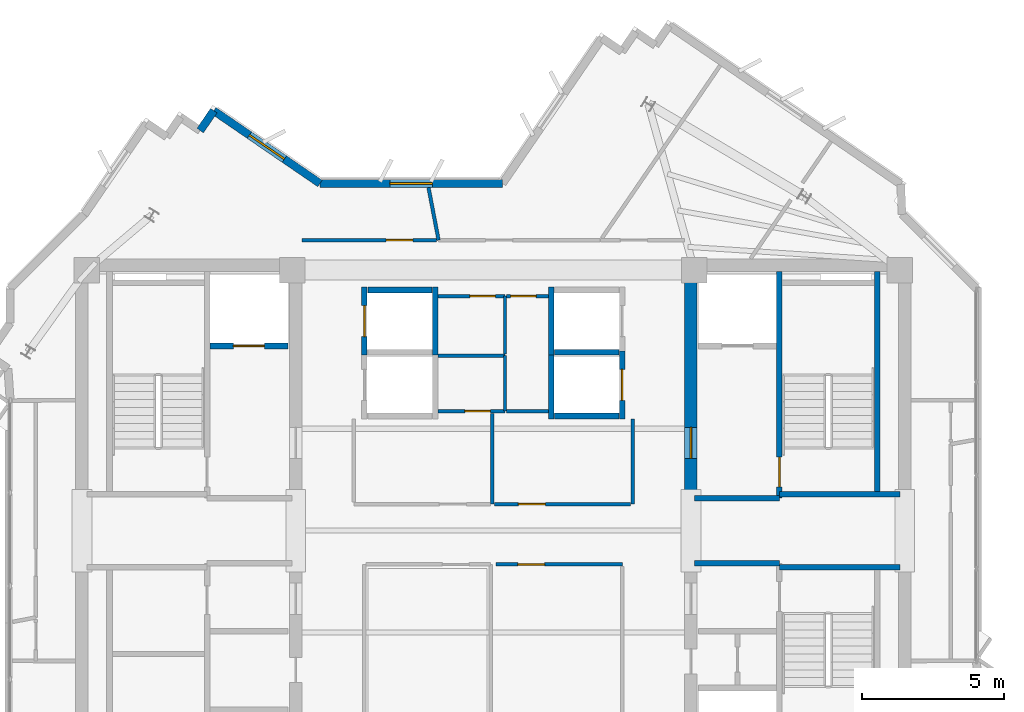
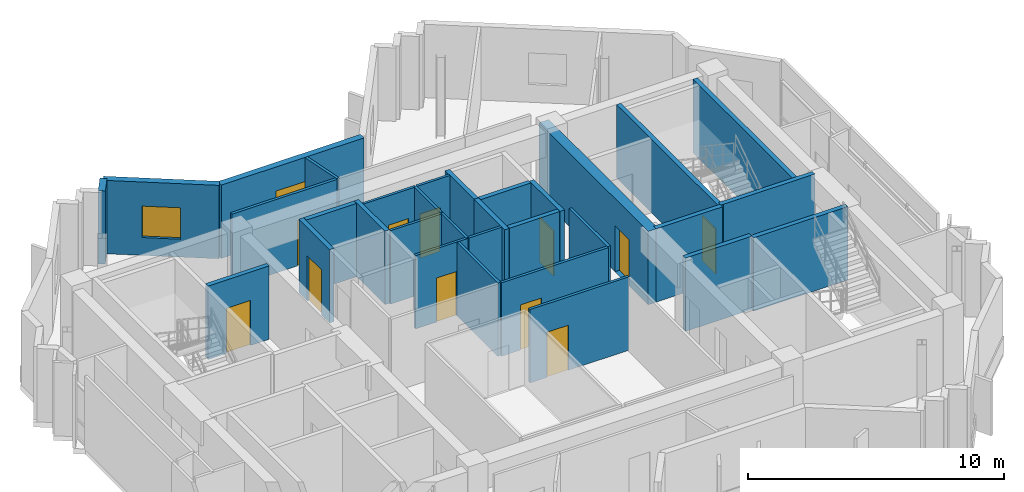
# One storey, part 7 of 11: 32 walls, 11 doors, 2 windows, 13 openings.
"""IFC4 building model written with IfcOpenShell, lengths in metres."""

from ifc_helpers import new_model, si_unit, direction, frame, frame_2d, origin, place, context, subcontext, project, spatial, rectangle, extrude, source, transform, mapped, material, layer, layer_set, type_object, element, fill, save


model = new_model("IFC4")

# Units and contexts
model_context = context("Model", 3, precision=1e-05, world=origin(), true_north=direction((0.0, 1.0)))
body_context = subcontext(model_context, "Body", "Model", "MODEL_VIEW")
ifc_project = project(units=[si_unit("LENGTHUNIT", "METRE"), si_unit("AREAUNIT", "SQUARE_METRE"), si_unit("VOLUMEUNIT", "CUBIC_METRE"), si_unit("PLANEANGLEUNIT", "RADIAN"), si_unit("MASSUNIT", "GRAM", prefix="KILO")], contexts=[model_context])

# Site, building, storey
site_placement = place(None, origin())
site = spatial("IfcSite", under=ifc_project, at=site_placement, CompositionType="ELEMENT")
building_placement = place(site_placement, origin())
building = spatial("IfcBuilding", under=site, at=building_placement, Name="Zahravan Cultural Tower", CompositionType="ELEMENT")
storey_placement = place(building_placement, frame((0.0, 0.0, 331.050048828125)))
storey = spatial("IfcBuildingStorey", under=building, at=storey_placement, Name="L80", CompositionType="ELEMENT", Elevation=331.050048828125)

# Wall, opening, door
ifc_material_1 = material(Name="Concrete C50/60", Category="concrete")
ifc_layer_1 = layer(ifc_material_1, 0.449951171875)
ifc_layer_set_1 = layer_set([ifc_layer_1], Name="Concrete C50/60")
wall_type_1 = type_object("IfcWallType", Name="CW-SHEAR-450-C50", PredefinedType="SHEAR", material=ifc_layer_set_1)
wall_1_placement = place(storey_placement, frame((42.97509765625, 28.050048828125, 0.0), z_axis=(0.0, 0.0, 1.0), x_axis=(0.0, 1.0, 0.0)))
wall_1 = element("IfcWall", 1, at=wall_1_placement, inside=storey, type_object=wall_type_1, Name="L80 Core Shear Wall CW-E-WN-L80", PredefinedType="SHEAR", context=body_context, shape_type="SweptSolid", body=[
    extrude(rectangle(XDim=8.550048828125, YDim=0.449951171875, at=frame_2d((4.27490234375, 0.0))), origin(), (0.0, 0.0, 1.0), 3.5),
])
opening_1_placement = place(wall_1_placement, frame((1.5, 0.0, 0.0)))
opening_1 = element("IfcOpeningElement", 2, at=opening_1_placement, cuts=wall_1, Name="Opening D-L80-07", PredefinedType="OPENING", context=body_context, shape_type="SweptSolid", body=[
    extrude(rectangle(XDim=1.10009765625, YDim=2.199951171875, at=frame_2d((0.550048828125, 1.10009765625))), frame((0.0, 0.23486328125, 0.0), z_axis=(0.0, -1.0, 0.0), x_axis=(1.0, 0.0, 0.0)), (0.0, 0.0, 1.0), 0.469970703125),
])
ifc_material_2 = material(Name="Steel ASTM A572 Grade 50", Category="steel")
door_type_1 = type_object("IfcDoorType", Name="DR-LOBBY-1100", OperationType="NOTDEFINED", PredefinedType="DOOR", material=ifc_material_2)
shared_shape_1 = source(origin(), body_context, "Body", "SweptSolid", [
    extrude(rectangle(XDim=1.10009765625, YDim=2.199951171875, at=frame_2d((0.550048828125, 1.10009765625))), frame((0.0, 0.02490234375, 0.0), z_axis=(0.0, -1.0, 0.0), x_axis=(1.0, 0.0, 0.0)), (0.0, 0.0, 1.0), 0.050048828125),
])
door_1_placement = place(opening_1_placement, origin())
door_1 = element("IfcDoor", 3, at=door_1_placement, inside=storey, type_object=door_type_1, Name="L80 Door D-L80-07", OperationType="SINGLE_SWING_RIGHT", OverallHeight=2.199951171875, OverallWidth=1.10009765625, PredefinedType="DOOR", context=body_context, shape_type="MappedRepresentation", body=[
    mapped(shared_shape_1, transform((0.0, 0.0, 0.0), x_axis=(1.0, 0.0, 0.0), y_axis=(0.0, 1.0, 0.0), z_axis=(0.0, 0.0, 1.0), scale=1.0)),
])
fill(opening_1, door_1)

# Wall, opening, window
ifc_material_3 = material(Name="Precast concrete C40/50", Category="concrete")
ifc_layer_2 = layer(ifc_material_3, 0.280029296875)
ifc_layer_set_2 = layer_set([ifc_layer_2], Name="Precast concrete C40/50")
wall_type_2 = type_object("IfcWallType", Name="EW-TC-280", PredefinedType="SOLIDWALL", material=ifc_layer_set_2)
wall_2_placement = place(storey_placement, frame((26.1318359375, 41.82861328125, 0.0), z_axis=(0.0, 0.0, 1.0), x_axis=(0.825104362901, -0.564980345075, 0.0)))
wall_2 = element("IfcWall", 4, at=wall_2_placement, inside=storey, type_object=wall_type_2, Name="L80 Exterior Masonry Frame Wall 12", PredefinedType="SOLIDWALL", context=body_context, shape_type="SweptSolid", body=[
    extrude(rectangle(XDim=4.54638671875, YDim=0.280029296875, at=frame_2d((2.273193359375, 0.0))), origin(), (0.0, 0.0, 1.0), 3.5),
])
opening_2_placement = place(wall_2_placement, frame((1.52294921875, 0.0, 0.85009765625)))
opening_2 = element("IfcOpeningElement", 5, at=opening_2_placement, cuts=wall_2, Name="Opening WN-03", PredefinedType="OPENING", context=body_context, shape_type="SweptSolid", body=[
    extrude(rectangle(XDim=1.5, YDim=1.5, at=frame_2d((0.75, 0.75))), frame((0.0, 0.14990234375, 0.0), z_axis=(0.0, -1.0, 0.0), x_axis=(1.0, 0.0, 0.0)), (0.0, 0.0, 1.0), 0.300048828125),
])
ifc_material_4 = material(Name="Low-E solar-control double glazing", Category="glass")
window_type = type_object("IfcWindowType", Name="WN-REC-1500X1500", PartitioningType="SINGLE_PANEL", PredefinedType="WINDOW", material=ifc_material_4)
shared_shape_2 = source(origin(), body_context, "Body", "SweptSolid", [
    extrude(rectangle(XDim=1.5, YDim=1.5, at=frame_2d((0.75, 0.75))), frame((0.0, 0.030029296875, 0.0), z_axis=(0.0, -1.0, 0.0), x_axis=(1.0, 0.0, 0.0)), (0.0, 0.0, 1.0), 0.06005859375),
])
window_1_placement = place(opening_2_placement, origin())
window_1 = element("IfcWindow", 6, at=window_1_placement, inside=storey, type_object=window_type, Name="L80 Recessed Solar Window 03", OverallHeight=1.5, OverallWidth=1.5, PartitioningType="SINGLE_PANEL", PredefinedType="WINDOW", context=body_context, shape_type="MappedRepresentation", body=[
    mapped(shared_shape_2, transform((0.0, 0.0, 0.0), x_axis=(1.0, 0.0, 0.0), y_axis=(0.0, 1.0, 0.0), z_axis=(0.0, 0.0, 1.0), scale=1.0)),
])
fill(opening_2, window_1)

wall_3_placement = place(storey_placement, frame((29.883056640625, 39.260009765625, 0.0), z_axis=(0.0, 0.0, 1.0), x_axis=(1.0, 0.0, 0.0)))
wall_3 = element("IfcWall", 7, at=wall_3_placement, inside=storey, type_object=wall_type_2, Name="L80 Exterior Masonry Frame Wall 13", PredefinedType="SOLIDWALL", context=body_context, shape_type="SweptSolid", body=[
    extrude(rectangle(XDim=6.43994140625, YDim=0.280029296875, at=frame_2d((3.219970703125, 0.0))), origin(), (0.0, 0.0, 1.0), 3.5),
])
opening_3_placement = place(wall_3_placement, frame((2.469970703125, 0.0, 0.85009765625)))
opening_3 = element("IfcOpeningElement", 8, at=opening_3_placement, cuts=wall_3, Name="Opening WN-03", PredefinedType="OPENING", context=body_context, shape_type="SweptSolid", body=[
    extrude(rectangle(XDim=1.5, YDim=1.5, at=frame_2d((0.75, 0.75))), frame((0.0, 0.14990234375, 0.0), z_axis=(0.0, -1.0, 0.0), x_axis=(1.0, 0.0, 0.0)), (0.0, 0.0, 1.0), 0.300048828125),
])
window_2_placement = place(opening_3_placement, origin())
window_2 = element("IfcWindow", 9, at=window_2_placement, inside=storey, type_object=window_type, Name="L80 Recessed Solar Window 04", OverallHeight=1.5, OverallWidth=1.5, PartitioningType="SINGLE_PANEL", PredefinedType="WINDOW", context=body_context, shape_type="MappedRepresentation", body=[
    mapped(shared_shape_2, transform((0.0, 0.0, 0.0), x_axis=(1.0, 0.0, 0.0), y_axis=(0.0, 1.0, 0.0), z_axis=(0.0, 0.0, 1.0), scale=1.0)),
])
fill(opening_3, window_2)

# Wall, opening, door
ifc_material_5 = material(Name="Gypsum plasterboard partition")
ifc_layer_3 = layer(ifc_material_5, 0.125)
ifc_layer_set_3 = layer_set([ifc_layer_3], Name="Gypsum plasterboard partition")
wall_type_3 = type_object("IfcWallType", Name="W-PART-125", PredefinedType="PARTITIONING", material=ifc_layer_set_3)
wall_4_placement = place(storey_placement, frame((40.8525390625, 27.93994140625, 0.0), z_axis=(0.0, 0.0, 1.0), x_axis=(-1.0, 0.0, 0.0)))
wall_4 = element("IfcWall", 10, at=wall_4_placement, inside=storey, type_object=wall_type_3, Name="L80 Interior Wall 054", PredefinedType="PARTITIONING", context=body_context, shape_type="SweptSolid", body=[
    extrude(rectangle(XDim=4.81494140625, YDim=0.125, at=frame_2d((2.407470703125, 0.0))), origin(), (0.0, 0.0, 1.0), 3.5),
])
opening_4_placement = place(wall_4_placement, frame((3.0146484375, 0.0, 0.0)))
opening_4 = element("IfcOpeningElement", 11, at=opening_4_placement, cuts=wall_4, Name="Opening D-L80-19", PredefinedType="OPENING", context=body_context, shape_type="SweptSolid", body=[
    extrude(rectangle(XDim=0.949951171875, YDim=2.14990234375, at=frame_2d((0.47509765625, 1.074951171875))), frame((0.0, 0.072509765625, 0.0), z_axis=(0.0, -1.0, 0.0), x_axis=(1.0, 0.0, 0.0)), (0.0, 0.0, 1.0), 0.14501953125),
])
ifc_material_6 = material(Name="Anodised bronze-aluminium mullion", Category="aluminium")
door_type_2 = type_object("IfcDoorType", Name="DR-ROOM-950", OperationType="NOTDEFINED", PredefinedType="DOOR", material=ifc_material_6)
shared_shape_3 = source(origin(), body_context, "Body", "SweptSolid", [
    extrude(rectangle(XDim=0.949951171875, YDim=2.14990234375, at=frame_2d((0.47509765625, 1.074951171875))), frame((0.0, 0.02490234375, 0.0), z_axis=(0.0, -1.0, 0.0), x_axis=(1.0, 0.0, 0.0)), (0.0, 0.0, 1.0), 0.050048828125),
])
door_2_placement = place(opening_4_placement, origin())
door_2 = element("IfcDoor", 12, at=door_2_placement, inside=storey, type_object=door_type_2, Name="L80 Door D-L80-19", OperationType="SINGLE_SWING_RIGHT", OverallHeight=2.14990234375, OverallWidth=0.949951171875, PredefinedType="DOOR", context=body_context, shape_type="MappedRepresentation", body=[
    mapped(shared_shape_3, transform((0.0, 0.0, 0.0), x_axis=(1.0, 0.0, 0.0), y_axis=(0.0, 1.0, 0.0), z_axis=(0.0, 0.0, 1.0), scale=1.0)),
])
fill(opening_4, door_2)

wall_5_placement = place(storey_placement, frame((36.090087890625, 25.81005859375, 0.0), z_axis=(0.0, 0.0, 1.0), x_axis=(1.0, 0.0, 0.0)))
wall_5 = element("IfcWall", 13, at=wall_5_placement, inside=storey, type_object=wall_type_3, Name="L80 Interior Wall 088", PredefinedType="PARTITIONING", context=body_context, shape_type="SweptSolid", body=[
    extrude(rectangle(XDim=4.469970703125, YDim=0.125, at=frame_2d((2.23486328125, 0.0))), origin(), (0.0, 0.0, 1.0), 3.5),
])
opening_5_placement = place(wall_5_placement, frame((0.7744140625, 0.0, 0.0)))
opening_5 = element("IfcOpeningElement", 14, at=opening_5_placement, cuts=wall_5, Name="Opening D-L80-15", PredefinedType="OPENING", context=body_context, shape_type="SweptSolid", body=[
    extrude(rectangle(XDim=0.949951171875, YDim=2.14990234375, at=frame_2d((0.47509765625, 1.074951171875))), frame((0.0, 0.072509765625, 0.0), z_axis=(0.0, -1.0, 0.0), x_axis=(1.0, 0.0, 0.0)), (0.0, 0.0, 1.0), 0.14501953125),
])
door_3_placement = place(opening_5_placement, origin())
door_3 = element("IfcDoor", 15, at=door_3_placement, inside=storey, type_object=door_type_2, Name="L80 Door D-L80-15", OperationType="SINGLE_SWING_RIGHT", OverallHeight=2.14990234375, OverallWidth=0.949951171875, PredefinedType="DOOR", context=body_context, shape_type="MappedRepresentation", body=[
    mapped(shared_shape_3, transform((0.0, 0.0, 0.0), x_axis=(1.0, 0.0, 0.0), y_axis=(0.0, 1.0, 0.0), z_axis=(0.0, 0.0, 1.0), scale=1.0)),
])
fill(opening_5, door_3)

wall_6_placement = place(storey_placement, frame((34.000244140625, 37.260009765625, 0.0), z_axis=(0.0, 0.0, 1.0), x_axis=(-0.999999994709, -0.000102870075, 0.0)))
wall_6 = element("IfcWall", 16, at=wall_6_placement, inside=storey, type_object=wall_type_3, Name="L80 Interior Wall 094", PredefinedType="PARTITIONING", context=body_context, shape_type="SweptSolid", body=[
    extrude(rectangle(XDim=4.74658203125, YDim=0.125, at=frame_2d((2.373291015625, 0.0))), origin(), (0.0, 0.0, 1.0), 3.5),
])
opening_6_placement = place(wall_6_placement, frame((0.835205078125, 0.0, 0.0)))
opening_6 = element("IfcOpeningElement", 17, at=opening_6_placement, cuts=wall_6, Name="Opening D-L80-23", PredefinedType="OPENING", context=body_context, shape_type="SweptSolid", body=[
    extrude(rectangle(XDim=0.949951171875, YDim=2.14990234375, at=frame_2d((0.47509765625, 1.074951171875))), frame((0.0, 0.072509765625, 0.0), z_axis=(0.0, -1.0, 0.0), x_axis=(1.0, 0.0, 0.0)), (0.0, 0.0, 1.0), 0.14501953125),
])
door_4_placement = place(opening_6_placement, origin())
door_4 = element("IfcDoor", 18, at=door_4_placement, inside=storey, type_object=door_type_2, Name="L80 Door D-L80-23", OperationType="SINGLE_SWING_RIGHT", OverallHeight=2.14990234375, OverallWidth=0.949951171875, PredefinedType="DOOR", context=body_context, shape_type="MappedRepresentation", body=[
    mapped(shared_shape_3, transform((0.0, 0.0, 0.0), x_axis=(1.0, 0.0, 0.0), y_axis=(0.0, 1.0, 0.0), z_axis=(0.0, 0.0, 1.0), scale=1.0)),
])
fill(opening_6, door_4)

ifc_material_7 = material(Name="Concrete C45/55", Category="concrete")
ifc_layer_4 = layer(ifc_material_7, 0.199951171875)
ifc_layer_set_4 = layer_set([ifc_layer_4], Name="Concrete C45/55")
wall_type_4 = type_object("IfcWallType", Name="W-SHAFT-200", PredefinedType="SOLIDWALL", material=ifc_layer_set_4)
wall_7_placement = place(storey_placement, frame((46.10009765625, 28.14990234375, 0.0), z_axis=(0.0, 0.0, 1.0), x_axis=(0.0, 1.0, 0.0)))
wall_7 = element("IfcWall", 19, at=wall_7_placement, inside=storey, type_object=wall_type_4, Name="L80 Interior Wall 008", PredefinedType="SOLIDWALL", context=body_context, shape_type="SweptSolid", body=[
    extrude(rectangle(XDim=8.0, YDim=0.199951171875, at=frame_2d((4.0, 0.0))), origin(), (0.0, 0.0, 1.0), 3.5),
])
opening_7_placement = place(wall_7_placement, frame((0.39990234375, 0.0, 0.0)))
opening_7 = element("IfcOpeningElement", 20, at=opening_7_placement, cuts=wall_7, Name="Opening D-L80-02", PredefinedType="OPENING", context=body_context, shape_type="SweptSolid", body=[
    extrude(rectangle(XDim=1.050048828125, YDim=2.14990234375, at=frame_2d((0.52490234375, 1.074951171875))), frame((0.0, 0.10986328125, 0.0), z_axis=(0.0, -1.0, 0.0), x_axis=(1.0, 0.0, 0.0)), (0.0, 0.0, 1.0), 0.219970703125),
])
door_type_3 = type_object("IfcDoorType", Name="DR-STAIR-1050", OperationType="NOTDEFINED", PredefinedType="DOOR", material=ifc_material_2)
shared_shape_4 = source(origin(), body_context, "Body", "SweptSolid", [
    extrude(rectangle(XDim=1.050048828125, YDim=2.14990234375, at=frame_2d((0.52490234375, 1.074951171875))), frame((0.0, 0.02490234375, 0.0), z_axis=(0.0, -1.0, 0.0), x_axis=(1.0, 0.0, 0.0)), (0.0, 0.0, 1.0), 0.050048828125),
])
door_5_placement = place(opening_7_placement, origin())
door_5 = element("IfcDoor", 21, at=door_5_placement, inside=storey, type_object=door_type_3, Name="L80 Door D-L80-02", OperationType="SINGLE_SWING_LEFT", OverallHeight=2.14990234375, OverallWidth=1.050048828125, PredefinedType="DOOR", context=body_context, shape_type="MappedRepresentation", body=[
    mapped(shared_shape_4, transform((0.0, 0.0, 0.0), x_axis=(1.0, 0.0, 0.0), y_axis=(0.0, 1.0, 0.0), z_axis=(0.0, 0.0, 1.0), scale=1.0)),
])
fill(opening_7, door_5)

wall_8_placement = place(storey_placement, frame((26.0, 33.52001953125, 0.0), z_axis=(0.0, 0.0, 1.0), x_axis=(1.0, 0.0, 0.0)))
wall_8 = element("IfcWall", 22, at=wall_8_placement, inside=storey, type_object=wall_type_4, Name="L80 Interior Wall 022", PredefinedType="SOLIDWALL", context=body_context, shape_type="SweptSolid", body=[
    extrude(rectangle(XDim=2.75, YDim=0.199951171875, at=frame_2d((1.375, 0.0))), origin(), (0.0, 0.0, 1.0), 3.5),
])
opening_8_placement = place(wall_8_placement, frame((0.820068359375, 0.0, 0.0)))
opening_8 = element("IfcOpeningElement", 23, at=opening_8_placement, cuts=wall_8, Name="Opening LD-L80-01", PredefinedType="OPENING", context=body_context, shape_type="SweptSolid", body=[
    extrude(rectangle(XDim=1.10009765625, YDim=2.14990234375, at=frame_2d((0.550048828125, 1.074951171875))), frame((0.0, 0.10986328125, 0.0), z_axis=(0.0, -1.0, 0.0), x_axis=(1.0, 0.0, 0.0)), (0.0, 0.0, 1.0), 0.219970703125),
])
door_type_4 = type_object("IfcDoorType", Name="DR-LIFT-1100", OperationType="DOUBLE_DOOR_SLIDING", PredefinedType="DOOR", material=ifc_material_2)
shared_shape_5 = source(origin(), body_context, "Body", "SweptSolid", [
    extrude(rectangle(XDim=1.10009765625, YDim=2.14990234375, at=frame_2d((0.550048828125, 1.074951171875))), frame((0.0, 0.02490234375, 0.0), z_axis=(0.0, -1.0, 0.0), x_axis=(1.0, 0.0, 0.0)), (0.0, 0.0, 1.0), 0.050048828125),
])
door_6_placement = place(opening_8_placement, origin())
door_6 = element("IfcDoor", 24, at=door_6_placement, inside=storey, type_object=door_type_4, Name="L80 Door LD-L80-01", OperationType="DOUBLE_DOOR_SLIDING", OverallHeight=2.14990234375, OverallWidth=1.10009765625, PredefinedType="DOOR", context=body_context, shape_type="MappedRepresentation", body=[
    mapped(shared_shape_5, transform((0.0, 0.0, 0.0), x_axis=(1.0, 0.0, 0.0), y_axis=(0.0, 1.0, 0.0), z_axis=(0.0, 0.0, 1.0), scale=1.0)),
])
fill(opening_8, door_6)

wall_9_placement = place(storey_placement, frame((31.449951171875, 33.199951171875, 0.0), z_axis=(0.0, 0.0, 1.0), x_axis=(0.0, 1.0, 0.0)))
wall_9 = element("IfcWall", 25, at=wall_9_placement, inside=storey, type_object=wall_type_4, Name="L80 Interior Wall 029", PredefinedType="SOLIDWALL", context=body_context, shape_type="SweptSolid", body=[
    extrude(rectangle(XDim=2.400146484375, YDim=0.199951171875, at=frame_2d((1.2001953125, 0.0))), origin(), (0.0, 0.0, 1.0), 3.5),
])
opening_9_placement = place(wall_9_placement, frame((0.64990234375, 0.0, 0.0)))
opening_9 = element("IfcOpeningElement", 26, at=opening_9_placement, cuts=wall_9, Name="Opening LD-L80-04", PredefinedType="OPENING", context=body_context, shape_type="SweptSolid", body=[
    extrude(rectangle(XDim=1.10009765625, YDim=2.14990234375, at=frame_2d((0.550048828125, 1.074951171875))), frame((0.0, 0.10986328125, 0.0), z_axis=(0.0, -1.0, 0.0), x_axis=(1.0, 0.0, 0.0)), (0.0, 0.0, 1.0), 0.219970703125),
])
door_7_placement = place(opening_9_placement, origin())
door_7 = element("IfcDoor", 27, at=door_7_placement, inside=storey, type_object=door_type_4, Name="L80 Door LD-L80-04", OperationType="DOUBLE_DOOR_SLIDING", OverallHeight=2.14990234375, OverallWidth=1.10009765625, PredefinedType="DOOR", context=body_context, shape_type="MappedRepresentation", body=[
    mapped(shared_shape_5, transform((0.0, 0.0, 0.0), x_axis=(1.0, 0.0, 0.0), y_axis=(0.0, 1.0, 0.0), z_axis=(0.0, 0.0, 1.0), scale=1.0)),
])
fill(opening_9, door_7)

wall_10_placement = place(storey_placement, frame((40.550048828125, 30.949951171875, 0.0), z_axis=(0.0, 0.0, 1.0), x_axis=(0.0, 1.0, 0.0)))
wall_10 = element("IfcWall", 28, at=wall_10_placement, inside=storey, type_object=wall_type_4, Name="L80 Interior Wall 041", PredefinedType="SOLIDWALL", context=body_context, shape_type="SweptSolid", body=[
    extrude(rectangle(XDim=2.400146484375, YDim=0.199951171875, at=frame_2d((1.2001953125, 0.0))), origin(), (0.0, 0.0, 1.0), 3.5),
])
opening_10_placement = place(wall_10_placement, frame((0.64990234375, 0.0, 0.0)))
opening_10 = element("IfcOpeningElement", 29, at=opening_10_placement, cuts=wall_10, Name="Opening LD-L80-07", PredefinedType="OPENING", context=body_context, shape_type="SweptSolid", body=[
    extrude(rectangle(XDim=1.10009765625, YDim=2.14990234375, at=frame_2d((0.550048828125, 1.074951171875))), frame((0.0, 0.10986328125, 0.0), z_axis=(0.0, -1.0, 0.0), x_axis=(1.0, 0.0, 0.0)), (0.0, 0.0, 1.0), 0.219970703125),
])
door_8_placement = place(opening_10_placement, origin())
door_8 = element("IfcDoor", 30, at=door_8_placement, inside=storey, type_object=door_type_4, Name="L80 Door LD-L80-07", OperationType="DOUBLE_DOOR_SLIDING", OverallHeight=2.14990234375, OverallWidth=1.10009765625, PredefinedType="DOOR", context=body_context, shape_type="MappedRepresentation", body=[
    mapped(shared_shape_5, transform((0.0, 0.0, 0.0), x_axis=(1.0, 0.0, 0.0), y_axis=(0.0, 1.0, 0.0), z_axis=(0.0, 0.0, 1.0), scale=1.0)),
])
fill(opening_10, door_8)

ifc_layer_5 = layer(ifc_material_5, 0.114990234375)
ifc_layer_set_5 = layer_set([ifc_layer_5], Name="Gypsum plasterboard partition")
wall_type_5 = type_object("IfcWallType", Name="W-WC-115", PredefinedType="PARTITIONING", material=ifc_layer_set_5)
wall_11_placement = place(storey_placement, frame((36.409912109375, 31.219970703125, 0.0), z_axis=(0.0, 0.0, 1.0), x_axis=(-1.0, 0.0, 0.0)))
wall_11 = element("IfcWall", 31, at=wall_11_placement, inside=storey, type_object=wall_type_5, Name="L80 Interior Wall 043", PredefinedType="PARTITIONING", context=body_context, shape_type="SweptSolid", body=[
    extrude(rectangle(XDim=2.35498046875, YDim=0.114990234375, at=frame_2d((1.177490234375, 0.0))), origin(), (0.0, 0.0, 1.0), 3.5),
])
opening_11_placement = place(wall_11_placement, frame((0.5166015625, 0.0, 0.0)))
opening_11 = element("IfcOpeningElement", 32, at=opening_11_placement, cuts=wall_11, Name="Opening D-L80-30", PredefinedType="OPENING", context=body_context, shape_type="SweptSolid", body=[
    extrude(rectangle(XDim=0.89990234375, YDim=2.10009765625, at=frame_2d((0.449951171875, 1.050048828125))), frame((0.0, 0.0673828125, 0.0), z_axis=(0.0, -1.0, 0.0), x_axis=(1.0, 0.0, 0.0)), (0.0, 0.0, 1.0), 0.135009765625),
])
door_type_5 = type_object("IfcDoorType", Name="DR-WC-900", OperationType="NOTDEFINED", PredefinedType="DOOR", material=ifc_material_6)
shared_shape_6 = source(origin(), body_context, "Body", "SweptSolid", [
    extrude(rectangle(XDim=0.89990234375, YDim=2.10009765625, at=frame_2d((0.449951171875, 1.050048828125))), frame((0.0, 0.02490234375, 0.0), z_axis=(0.0, -1.0, 0.0), x_axis=(1.0, 0.0, 0.0)), (0.0, 0.0, 1.0), 0.050048828125),
])
door_9_placement = place(opening_11_placement, origin())
door_9 = element("IfcDoor", 33, at=door_9_placement, inside=storey, type_object=door_type_5, Name="L80 Door D-L80-30", OperationType="SINGLE_SWING_LEFT", OverallHeight=2.10009765625, OverallWidth=0.89990234375, PredefinedType="DOOR", context=body_context, shape_type="MappedRepresentation", body=[
    mapped(shared_shape_6, transform((0.0, 0.0, 0.0), x_axis=(1.0, 0.0, 0.0), y_axis=(0.0, 1.0, 0.0), z_axis=(0.0, 0.0, 1.0), scale=1.0)),
])
fill(opening_11, door_9)

wall_12_placement = place(storey_placement, frame((34.054931640625, 35.280029296875, 0.0), z_axis=(0.0, 0.0, 1.0), x_axis=(1.0, 0.0, 0.0)))
wall_12 = element("IfcWall", 34, at=wall_12_placement, inside=storey, type_object=wall_type_5, Name="L80 Interior Wall 046", PredefinedType="PARTITIONING", context=body_context, shape_type="SweptSolid", body=[
    extrude(rectangle(XDim=2.35498046875, YDim=0.114990234375, at=frame_2d((1.177490234375, 0.0))), origin(), (0.0, 0.0, 1.0), 3.5),
])
opening_12_placement = place(wall_12_placement, frame((1.120849609375, 0.0, 0.0)))
opening_12 = element("IfcOpeningElement", 35, at=opening_12_placement, cuts=wall_12, Name="Opening D-L80-16", PredefinedType="OPENING", context=body_context, shape_type="SweptSolid", body=[
    extrude(rectangle(XDim=0.89990234375, YDim=2.10009765625, at=frame_2d((0.449951171875, 1.050048828125))), frame((0.0, 0.0673828125, 0.0), z_axis=(0.0, -1.0, 0.0), x_axis=(1.0, 0.0, 0.0)), (0.0, 0.0, 1.0), 0.135009765625),
])
door_10_placement = place(opening_12_placement, origin())
door_10 = element("IfcDoor", 36, at=door_10_placement, inside=storey, type_object=door_type_5, Name="L80 Door D-L80-16", OperationType="SINGLE_SWING_LEFT", OverallHeight=2.10009765625, OverallWidth=0.89990234375, PredefinedType="DOOR", context=body_context, shape_type="MappedRepresentation", body=[
    mapped(shared_shape_6, transform((0.0, 0.0, 0.0), x_axis=(1.0, 0.0, 0.0), y_axis=(0.0, 1.0, 0.0), z_axis=(0.0, 0.0, 1.0), scale=1.0)),
])
fill(opening_12, door_10)

wall_13_placement = place(storey_placement, frame((36.472412109375, 35.280029296875, 0.0), z_axis=(0.0, 0.0, 1.0), x_axis=(1.0, 0.0, 0.0)))
wall_13 = element("IfcWall", 37, at=wall_13_placement, inside=storey, type_object=wall_type_5, Name="L80 Interior Wall 049", PredefinedType="PARTITIONING", context=body_context, shape_type="SweptSolid", body=[
    extrude(rectangle(XDim=1.47265625, YDim=0.114990234375, at=frame_2d((0.736328125, 0.0))), origin(), (0.0, 0.0, 1.0), 3.5),
])
opening_13_placement = place(wall_13_placement, frame((0.139892578125, 0.0, 0.0)))
opening_13 = element("IfcOpeningElement", 38, at=opening_13_placement, cuts=wall_13, Name="Opening D-L80-17", PredefinedType="OPENING", context=body_context, shape_type="SweptSolid", body=[
    extrude(rectangle(XDim=0.89990234375, YDim=2.10009765625, at=frame_2d((0.449951171875, 1.050048828125))), frame((0.0, 0.0673828125, 0.0), z_axis=(0.0, -1.0, 0.0), x_axis=(1.0, 0.0, 0.0)), (0.0, 0.0, 1.0), 0.135009765625),
])
door_11_placement = place(opening_13_placement, origin())
door_11 = element("IfcDoor", 39, at=door_11_placement, inside=storey, type_object=door_type_5, Name="L80 Door D-L80-17", OperationType="SINGLE_SWING_RIGHT", OverallHeight=2.10009765625, OverallWidth=0.89990234375, PredefinedType="DOOR", context=body_context, shape_type="MappedRepresentation", body=[
    mapped(shared_shape_6, transform((0.0, 0.0, 0.0), x_axis=(1.0, 0.0, 0.0), y_axis=(0.0, 1.0, 0.0), z_axis=(0.0, 0.0, 1.0), scale=1.0)),
])
fill(opening_13, door_11)

# Walls
shared_shape_7 = source(origin(), body_context, "Body", "SweptSolid", [
    extrude(rectangle(XDim=0.85009765625, YDim=0.280029296875, at=frame_2d((0.425048828125, 0.0))), origin(), (0.0, 0.0, 1.0), 3.5),
])
wall_14_placement = place(storey_placement, frame((25.651611328125, 41.127197265625, 0.0), z_axis=(0.0, 0.0, 1.0), x_axis=(0.564930994418, 0.825138153006, 0.0)))
element("IfcWall", 40, at=wall_14_placement, inside=storey, type_object=wall_type_2, Name="L80 Exterior Masonry Frame Wall 11", PredefinedType="SOLIDWALL", context=body_context, shape_type="MappedRepresentation", body=[
    mapped(shared_shape_7, transform((0.0, 0.0, 0.0), x_axis=(1.0, 0.0, 0.0), y_axis=(0.0, 1.0, 0.0), z_axis=(0.0, 0.0, 1.0), scale=1.0)),
])
shared_shape_8 = source(origin(), body_context, "Body", "SweptSolid", [
    extrude(rectangle(XDim=7.869873046875, YDim=0.199951171875, at=frame_2d((3.93505859375, 0.0))), origin(), (0.0, 0.0, 1.0), 3.5),
])
wall_15_placement = place(storey_placement, frame((49.550048828125, 28.280029296875, 0.0), z_axis=(0.0, 0.0, 1.0), x_axis=(0.0, 1.0, 0.0)))
element("IfcWall", 41, at=wall_15_placement, inside=storey, type_object=wall_type_4, Name="L80 Interior Wall 004", PredefinedType="SOLIDWALL", context=body_context, shape_type="MappedRepresentation", body=[
    mapped(shared_shape_8, transform((0.0, 0.0, 0.0), x_axis=(1.0, 0.0, 0.0), y_axis=(0.0, 1.0, 0.0), z_axis=(0.0, 0.0, 1.0), scale=1.0)),
])
shared_shape_9 = source(origin(), body_context, "Body", "SweptSolid", [
    extrude(rectangle(XDim=4.25, YDim=0.199951171875, at=frame_2d((2.125, 0.0))), origin(), (0.0, 0.0, 1.0), 3.5),
])
for number, where, z_axis, x_axis, name in (
    (42, (46.10009765625, 25.715087890625, 0.0), (0.0, 0.0, 1.0), (1.0, 0.0, 0.0), "L80 Interior Wall 014"),
    (43, (46.10009765625, 28.284912109375, 0.0), (0.0, 0.0, 1.0), (1.0, 0.0, 0.0), "L80 Interior Wall 016"),
):
    element("IfcWall", number, at=place(storey_placement, frame(where, z_axis=z_axis, x_axis=x_axis)), inside=storey, type_object=wall_type_4, Name=name, PredefinedType="SOLIDWALL", context=body_context, shape_type="MappedRepresentation", body=[
        mapped(shared_shape_9, transform((0.0, 0.0, 0.0), x_axis=(1.0, 0.0, 0.0), y_axis=(0.0, 1.0, 0.0), z_axis=(0.0, 0.0, 1.0), scale=1.0)),
    ])
shared_shape_10 = source(origin(), body_context, "Body", "SweptSolid", [
    extrude(rectangle(XDim=3.0, YDim=0.199951171875, at=frame_2d((1.5, 0.0))), origin(), (0.0, 0.0, 1.0), 3.5),
])
for number, where, z_axis, x_axis, name in (
    (44, (43.10009765625, 25.85009765625, 0.0), (0.0, 0.0, 1.0), (1.0, 0.0, 0.0), "L80 Interior Wall 013"),
    (45, (43.10009765625, 28.14990234375, 0.0), (0.0, 0.0, 1.0), (1.0, 0.0, 0.0), "L80 Interior Wall 015"),
):
    element("IfcWall", number, at=place(storey_placement, frame(where, z_axis=z_axis, x_axis=x_axis)), inside=storey, type_object=wall_type_4, Name=name, PredefinedType="SOLIDWALL", context=body_context, shape_type="MappedRepresentation", body=[
        mapped(shared_shape_10, transform((0.0, 0.0, 0.0), x_axis=(1.0, 0.0, 0.0), y_axis=(0.0, 1.0, 0.0), z_axis=(0.0, 0.0, 1.0), scale=1.0)),
    ])
shared_shape_11 = source(origin(), body_context, "Body", "SweptSolid", [
    extrude(rectangle(XDim=2.400146484375, YDim=0.199951171875, at=frame_2d((1.2001953125, 0.0))), origin(), (0.0, 0.0, 1.0), 3.5),
])
for number, where, z_axis, x_axis, name in (
    (46, (33.949951171875, 33.199951171875, 0.0), (0.0, 0.0, 1.0), (0.0, 1.0, 0.0), "L80 Interior Wall 030"),
    (47, (38.050048828125, 33.199951171875, 0.0), (0.0, 0.0, 1.0), (0.0, 1.0, 0.0), "L80 Interior Wall 036"),
    (48, (38.050048828125, 30.949951171875, 0.0), (0.0, 0.0, 1.0), (0.0, 1.0, 0.0), "L80 Interior Wall 040"),
):
    element("IfcWall", number, at=place(storey_placement, frame(where, z_axis=z_axis, x_axis=x_axis)), inside=storey, type_object=wall_type_4, Name=name, PredefinedType="SOLIDWALL", context=body_context, shape_type="MappedRepresentation", body=[
        mapped(shared_shape_11, transform((0.0, 0.0, 0.0), x_axis=(1.0, 0.0, 0.0), y_axis=(0.0, 1.0, 0.0), z_axis=(0.0, 0.0, 1.0), scale=1.0)),
    ])
shared_shape_12 = source(origin(), body_context, "Body", "SweptSolid", [
    extrude(rectangle(XDim=2.260009765625, YDim=0.199951171875, at=frame_2d((1.1298828125, 0.0))), origin(), (0.0, 0.0, 1.0), 3.5),
])
for number, where, z_axis, x_axis, name in (
    (49, (31.570068359375, 35.5, 0.0), (0.0, 0.0, 1.0), (1.0, 0.0, 0.0), "L80 Interior Wall 032"),
    (50, (38.169921875, 33.300048828125, 0.0), (0.0, 0.0, 1.0), (1.0, 0.0, 0.0), "L80 Interior Wall 038"),
    (51, (38.169921875, 31.050048828125, 0.0), (0.0, 0.0, 1.0), (1.0, 0.0, 0.0), "L80 Interior Wall 042"),
):
    element("IfcWall", number, at=place(storey_placement, frame(where, z_axis=z_axis, x_axis=x_axis)), inside=storey, type_object=wall_type_4, Name=name, PredefinedType="SOLIDWALL", context=body_context, shape_type="MappedRepresentation", body=[
        mapped(shared_shape_12, transform((0.0, 0.0, 0.0), x_axis=(1.0, 0.0, 0.0), y_axis=(0.0, 1.0, 0.0), z_axis=(0.0, 0.0, 1.0), scale=1.0)),
    ])
shared_shape_13 = source(origin(), body_context, "Body", "SweptSolid", [
    extrude(rectangle(XDim=1.9599609375, YDim=0.114990234375, at=frame_2d((0.97998046875, 0.0))), origin(), (0.0, 0.0, 1.0), 3.5),
])
wall_16_placement = place(storey_placement, frame((36.409912109375, 33.179931640625, 0.0), z_axis=(0.0, 0.0, 1.0), x_axis=(0.0, -1.0, 0.0)))
element("IfcWall", 52, at=wall_16_placement, inside=storey, type_object=wall_type_5, Name="L80 Interior Wall 045", PredefinedType="PARTITIONING", context=body_context, shape_type="MappedRepresentation", body=[
    mapped(shared_shape_13, transform((0.0, 0.0, 0.0), x_axis=(1.0, 0.0, 0.0), y_axis=(0.0, 1.0, 0.0), z_axis=(0.0, 0.0, 1.0), scale=1.0)),
])
shared_shape_14 = source(origin(), body_context, "Body", "SweptSolid", [
    extrude(rectangle(XDim=2.0400390625, YDim=0.114990234375, at=frame_2d((1.02001953125, 0.0))), origin(), (0.0, 0.0, 1.0), 3.5),
])
wall_17_placement = place(storey_placement, frame((36.409912109375, 35.280029296875, 0.0), z_axis=(0.0, 0.0, 1.0), x_axis=(0.0, -1.0, 0.0)))
element("IfcWall", 53, at=wall_17_placement, inside=storey, type_object=wall_type_5, Name="L80 Interior Wall 047", PredefinedType="PARTITIONING", context=body_context, shape_type="MappedRepresentation", body=[
    mapped(shared_shape_14, transform((0.0, 0.0, 0.0), x_axis=(1.0, 0.0, 0.0), y_axis=(0.0, 1.0, 0.0), z_axis=(0.0, 0.0, 1.0), scale=1.0)),
])
shared_shape_15 = source(origin(), body_context, "Body", "SweptSolid", [
    extrude(rectangle(XDim=1.47265625, YDim=0.114990234375, at=frame_2d((0.736328125, 0.0))), origin(), (0.0, 0.0, 1.0), 3.5),
])
wall_18_placement = place(storey_placement, frame((37.945068359375, 31.219970703125, 0.0), z_axis=(0.0, 0.0, 1.0), x_axis=(-1.0, 0.0, 0.0)))
element("IfcWall", 54, at=wall_18_placement, inside=storey, type_object=wall_type_5, Name="L80 Interior Wall 048", PredefinedType="PARTITIONING", context=body_context, shape_type="MappedRepresentation", body=[
    mapped(shared_shape_15, transform((0.0, 0.0, 0.0), x_axis=(1.0, 0.0, 0.0), y_axis=(0.0, 1.0, 0.0), z_axis=(0.0, 0.0, 1.0), scale=1.0)),
])
shared_shape_16 = source(origin(), body_context, "Body", "SweptSolid", [
    extrude(rectangle(XDim=3.199951171875, YDim=0.125, at=frame_2d((1.60009765625, 0.0))), origin(), (0.0, 0.0, 1.0), 3.5),
])
wall_19_placement = place(storey_placement, frame((35.969970703125, 31.139892578125, 0.0), z_axis=(0.0, 0.0, 1.0), x_axis=(0.0, -1.0, 0.0)))
element("IfcWall", 55, at=wall_19_placement, inside=storey, type_object=wall_type_3, Name="L80 Interior Wall 050", PredefinedType="PARTITIONING", context=body_context, shape_type="MappedRepresentation", body=[
    mapped(shared_shape_16, transform((0.0, 0.0, 0.0), x_axis=(1.0, 0.0, 0.0), y_axis=(0.0, 1.0, 0.0), z_axis=(0.0, 0.0, 1.0), scale=1.0)),
])
shared_shape_17 = source(origin(), body_context, "Body", "SweptSolid", [
    extrude(rectangle(XDim=3.010009765625, YDim=0.125, at=frame_2d((1.5048828125, 0.0))), origin(), (0.0, 0.0, 1.0), 3.5),
])
wall_20_placement = place(storey_placement, frame((40.919921875, 30.949951171875, 0.0), z_axis=(0.0, 0.0, 1.0), x_axis=(0.0, -1.0, 0.0)))
element("IfcWall", 56, at=wall_20_placement, inside=storey, type_object=wall_type_3, Name="L80 Interior Wall 053", PredefinedType="PARTITIONING", context=body_context, shape_type="MappedRepresentation", body=[
    mapped(shared_shape_17, transform((0.0, 0.0, 0.0), x_axis=(1.0, 0.0, 0.0), y_axis=(0.0, 1.0, 0.0), z_axis=(0.0, 0.0, 1.0), scale=1.0)),
])
shared_shape_18 = source(origin(), body_context, "Body", "SweptSolid", [
    extrude(rectangle(XDim=2.35498046875, YDim=0.114990234375, at=frame_2d((1.177490234375, 0.0))), origin(), (0.0, 0.0, 1.0), 3.5),
])
wall_21_placement = place(storey_placement, frame((34.054931640625, 33.179931640625, 0.0), z_axis=(0.0, 0.0, 1.0), x_axis=(1.0, 0.0, 0.0)))
element("IfcWall", 57, at=wall_21_placement, inside=storey, type_object=wall_type_5, Name="L80 Interior Wall 044", PredefinedType="PARTITIONING", context=body_context, shape_type="MappedRepresentation", body=[
    mapped(shared_shape_18, transform((0.0, 0.0, 0.0), x_axis=(1.0, 0.0, 0.0), y_axis=(0.0, 1.0, 0.0), z_axis=(0.0, 0.0, 1.0), scale=1.0)),
])
shared_shape_19 = source(origin(), body_context, "Body", "SweptSolid", [
    extrude(rectangle(XDim=1.888916015625, YDim=0.125, at=frame_2d((0.9443359375, 0.0))), origin(), (0.0, 0.0, 1.0), 3.5),
])
wall_22_placement = place(storey_placement, frame((34.06884765625, 37.260009765625, 0.0), z_axis=(0.0, 0.0, 1.0), x_axis=(-0.188454265316, 0.982081966989, 0.0)))
element("IfcWall", 58, at=wall_22_placement, inside=storey, type_object=wall_type_3, Name="L80 Interior Wall 091", PredefinedType="PARTITIONING", context=body_context, shape_type="MappedRepresentation", body=[
    mapped(shared_shape_19, transform((0.0, 0.0, 0.0), x_axis=(1.0, 0.0, 0.0), y_axis=(0.0, 1.0, 0.0), z_axis=(0.0, 0.0, 1.0), scale=1.0)),
])

save(model, "model.ifc")
